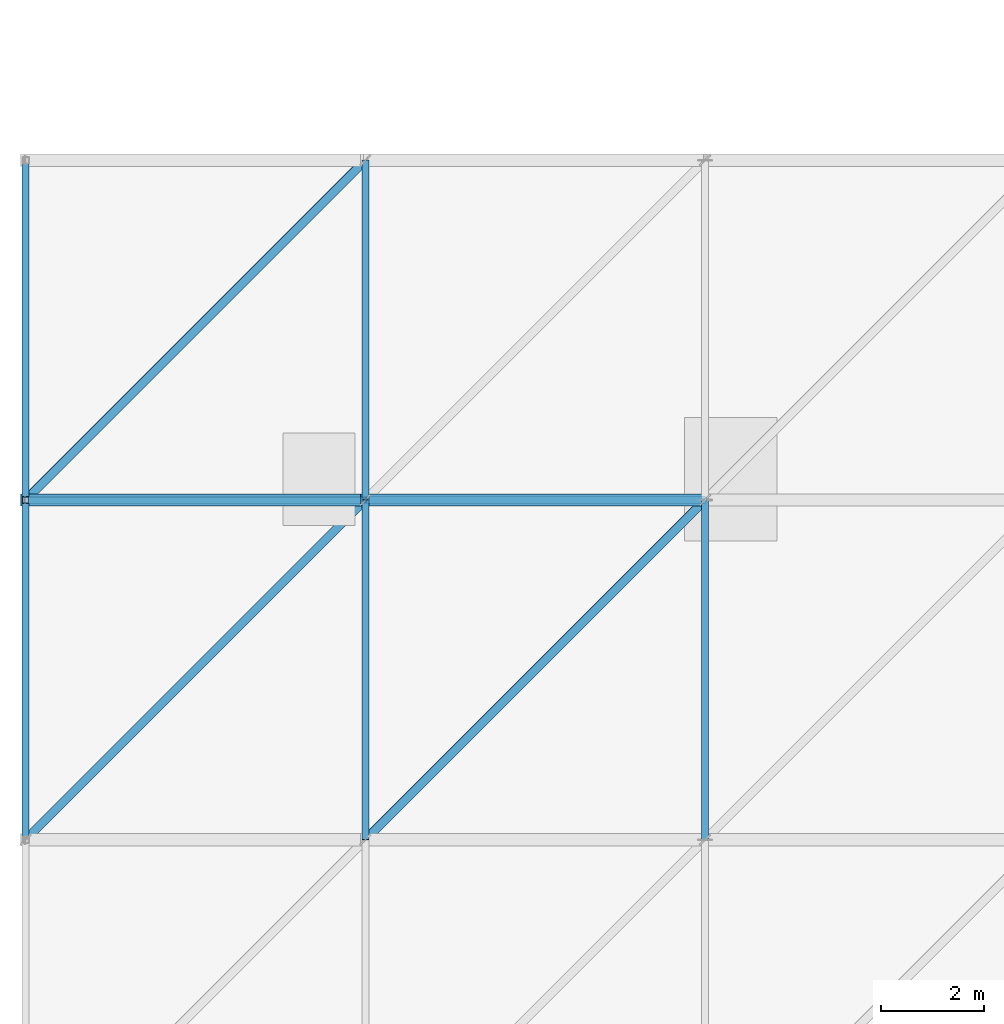
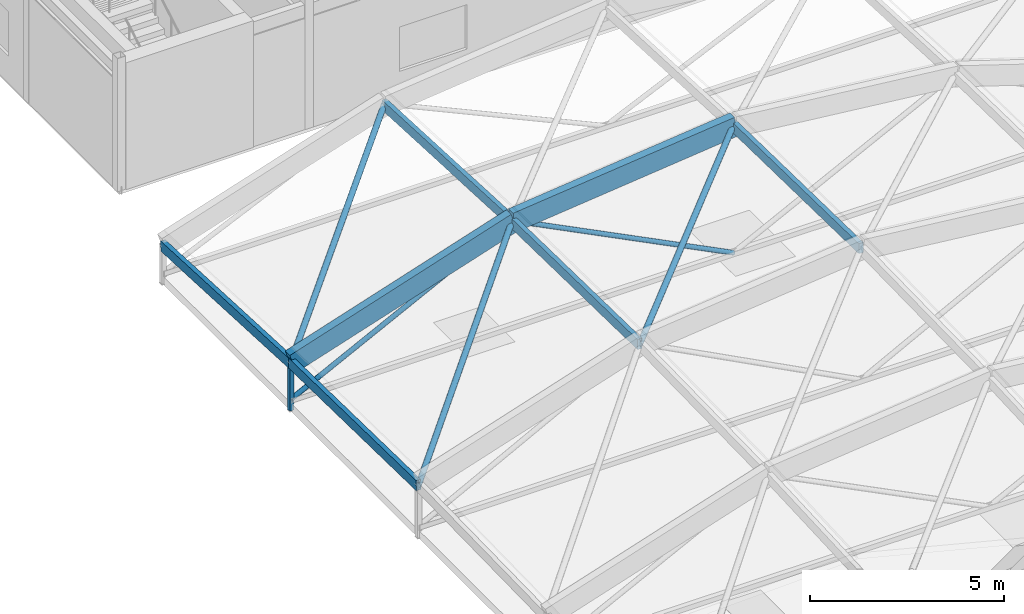
# One storey, part 26 of 157: 13 members.
"""IFC4 building model written with IfcOpenShell, lengths in metres."""

from ifc_helpers import new_model, si_unit, direction, frame, origin, origin_2d, place, context, subcontext, project, spatial, rectangle, hollow_rectangle, hollow_circle, extrude, material, material_profile, profile_set, type_object, element, save


model = new_model("IFC4")

# Units and contexts
model_context = context("Model", 3, precision=1e-05, world=origin(), true_north=direction((0.0, 1.0)))
body_context = subcontext(model_context, "Body", "Model", "MODEL_VIEW")
ifc_project = project(units=[si_unit("LENGTHUNIT", "METRE"), si_unit("AREAUNIT", "SQUARE_METRE"), si_unit("VOLUMEUNIT", "CUBIC_METRE"), si_unit("PLANEANGLEUNIT", "RADIAN"), si_unit("MASSUNIT", "GRAM", prefix="KILO")], contexts=[model_context])

# Site, building, storey
site_placement = place(None, origin())
site = spatial("IfcSite", under=ifc_project, at=site_placement, CompositionType="ELEMENT")
building_placement = place(site_placement, origin())
building = spatial("IfcBuilding", under=site, at=building_placement, Name="Karori Crest Natural Sciences Institute", CompositionType="ELEMENT")
storey_placement = place(building_placement, frame((0.0, 0.0, 13.300048828125)))
storey = spatial("IfcBuildingStorey", under=building, at=storey_placement, Name="L03", CompositionType="ELEMENT", Elevation=13.300048828125)

# Members
ifc_material_1 = material(Name="Hollow structural steel AS/NZS 1163 Grade C350", Category="steel")
ifc_material_profile_1 = material_profile(ifc_material_1, hollow_circle(Radius=0.084228515625, WallThickness=0.007080078125, at=origin_2d()), Name="CHS168.3x7.1")
ifc_profile_set_1 = profile_set([ifc_material_profile_1], Name="Hollow structural steel AS/NZS 1163 Grade C350")
member_type_1 = type_object("IfcMemberType", Name="MT-03", PredefinedType="BRACE", material=ifc_profile_set_1)
member_1_placement = place(storey_placement, frame((0.800048828125, 14.0, 1.419921875), z_axis=(0.691314046893, 0.691339619861, 0.210081933016), x_axis=(-0.707119859409, 0.707093702722, 0.0)))
element("IfcMember", 1, at=member_1_placement, inside=storey, type_object=member_type_1, Name="Diagonal Brace M-0306", PredefinedType="BRACE", context=body_context, shape_type="SweptSolid", body=[
    extrude(hollow_circle(Radius=0.084228515625, WallThickness=0.007080078125, at=origin_2d()), origin(), (0.0, 0.0, 1.0), 9.546875),
])
member_2_placement = place(storey_placement, frame((7.39990234375, 14.0, 3.557373046875), z_axis=(0.705741775976, 0.705741775976, 0.062105485132), x_axis=(-0.707106781187, 0.707106781187, 0.0)))
element("IfcMember", 2, at=member_2_placement, inside=storey, type_object=member_type_1, Name="Diagonal Brace M-0310", PredefinedType="BRACE", context=body_context, shape_type="SweptSolid", body=[
    extrude(hollow_circle(Radius=0.084228515625, WallThickness=0.007080078125, at=origin_2d()), origin(), (0.0, 0.0, 1.0), 9.35205078125),
])
member_3_placement = place(storey_placement, frame((0.800048828125, 20.60009765625, 1.2880859375), z_axis=(0.694044564778, 0.694044564778, 0.191322461315), x_axis=(-0.707106781187, 0.707106781187, 0.0)))
element("IfcMember", 3, at=member_3_placement, inside=storey, type_object=member_type_1, Name="Diagonal Brace M-0326", PredefinedType="BRACE", context=body_context, shape_type="SweptSolid", body=[
    extrude(hollow_circle(Radius=0.084228515625, WallThickness=0.007080078125, at=origin_2d()), origin(), (0.0, 0.0, 1.0), 9.50927734375),
])
ifc_material_2 = material(Name="Glulam GL12", Category="wood")
ifc_material_profile_2 = material_profile(ifc_material_2, rectangle(XDim=0.135009765625, YDim=0.31494140625, at=origin_2d()), Name="GL135x315")
ifc_profile_set_2 = profile_set([ifc_material_profile_2], Name="Glulam GL12")
member_type_2 = type_object("IfcMemberType", Name="MT-12", PredefinedType="PURLIN", material=ifc_profile_set_2)
for number, where, z_axis, x_axis, name in (
    (4, (0.800048828125, 14.0, 1.419921875), (0.0, 0.999800562433, -0.019970862755), (-1.0, 0.0, 0.0), "Member M-0305"),
    (5, (7.39990234375, 14.0, 3.557373046875), (0.0, 0.999800562433, -0.019970862755), (-1.0, 0.0, 0.0), "Member M-0309"),
    (6, (14.0, 14.0, 4.27001953125), (0.0, 0.999800562433, -0.019970862755), (-1.0, 0.0, 0.0), "Member M-0313"),
):
    element("IfcMember", number, at=place(storey_placement, frame(where, z_axis=z_axis, x_axis=x_axis)), inside=storey, type_object=member_type_2, Name=name, PredefinedType="PURLIN", context=body_context, shape_type="SweptSolid", body=[
        extrude(rectangle(XDim=0.135009765625, YDim=0.31494140625, at=origin_2d()), origin(), (0.0, 0.0, 1.0), 6.601318359375),
    ])
for number, where, z_axis, x_axis, name in (
    (7, (0.800048828125, 20.60009765625, 1.2880859375), (0.0, 0.998840383429, -0.048144453801), (-1.0, 0.0, 0.0), "Member M-0325"),
    (8, (7.39990234375, 20.60009765625, 3.425537109375), (0.0, 0.998840383429, -0.048144453801), (-1.0, 0.0, 0.0), "Member M-0329"),
):
    element("IfcMember", number, at=place(storey_placement, frame(where, z_axis=z_axis, x_axis=x_axis)), inside=storey, type_object=member_type_2, Name=name, PredefinedType="PURLIN", context=body_context, shape_type="SweptSolid", body=[
        extrude(rectangle(XDim=0.135009765625, YDim=0.31494140625, at=origin_2d()), origin(), (0.0, 0.0, 1.0), 6.607421875),
    ])
ifc_material_profile_3 = material_profile(ifc_material_2, rectangle(XDim=0.239990234375, YDim=0.6298828125, at=origin_2d()), Name="GL240x630")
ifc_profile_set_3 = profile_set([ifc_material_profile_3], Name="Glulam GL12")
member_type_3 = type_object("IfcMemberType", Name="MT-15", PredefinedType="USERDEFINED", material=ifc_profile_set_3)
member_4_placement = place(storey_placement, frame((0.800048828125, 20.60009765625, 1.30810546875), z_axis=(0.951351409962, 0.0, 0.308107927134), x_axis=(0.0, 1.0, 0.0)))
element("IfcMember", 9, at=member_4_placement, inside=storey, type_object=member_type_3, Name="Member M-0323", ObjectType="ARCH_SEGMENT", PredefinedType="USERDEFINED", context=body_context, shape_type="SweptSolid", body=[
    extrude(rectangle(XDim=0.239990234375, YDim=0.6298828125, at=origin_2d()), origin(), (0.0, 0.0, 1.0), 6.937255859375),
])
member_5_placement = place(storey_placement, frame((7.39990234375, 20.60009765625, 3.445556640625), z_axis=(0.994221165478, 0.0, 0.107351171933), x_axis=(0.0, 1.0, 0.0)))
element("IfcMember", 10, at=member_5_placement, inside=storey, type_object=member_type_3, Name="Member M-0327", ObjectType="ARCH_SEGMENT", PredefinedType="USERDEFINED", context=body_context, shape_type="SweptSolid", body=[
    extrude(rectangle(XDim=0.239990234375, YDim=0.6298828125, at=origin_2d()), origin(), (0.0, 0.0, 1.0), 6.638427734375),
])
ifc_material_profile_4 = material_profile(ifc_material_1, hollow_circle(Radius=0.06982421875, WallThickness=0.00634765625, at=origin_2d()), Name="CHS139.7x6.4")
ifc_profile_set_4 = profile_set([ifc_material_profile_4], Name="Hollow structural steel AS/NZS 1163 Grade C350")
member_type_4 = type_object("IfcMemberType", Name="MT-18-IL", PredefinedType="STRUT", material=ifc_profile_set_4)
member_6_placement = place(storey_placement, frame((0.800048828125, 20.60009765625, 0.119873046875), z_axis=(0.893028778318, 0.0, 0.449999556773), x_axis=(0.0, 1.0, 0.0)))
element("IfcMember", 11, at=member_6_placement, inside=storey, type_object=member_type_4, Name="Member M-0324", PredefinedType="STRUT", context=body_context, shape_type="SweptSolid", body=[
    extrude(hollow_circle(Radius=0.06982421875, WallThickness=0.00634765625, at=origin_2d()), origin(), (0.0, 0.0, 1.0), 7.390380859375),
])
member_7_placement = place(storey_placement, frame((14.0, 20.60009765625, 0.119873046875), z_axis=(-0.893035467548, 0.0, 0.44998628168), x_axis=(0.0, -1.0, 0.0)))
element("IfcMember", 12, at=member_7_placement, inside=storey, type_object=member_type_4, Name="Member M-0328", PredefinedType="STRUT", context=body_context, shape_type="SweptSolid", body=[
    extrude(hollow_circle(Radius=0.06982421875, WallThickness=0.00634765625, at=origin_2d()), origin(), (0.0, 0.0, 1.0), 7.390625),
])
ifc_material_profile_5 = material_profile(ifc_material_1, hollow_rectangle(XDim=0.125, YDim=0.125, WallThickness=0.006103515625, at=origin_2d()), Name="SHS125x125x6")
ifc_profile_set_5 = profile_set([ifc_material_profile_5], Name="Hollow structural steel AS/NZS 1163 Grade C350")
member_type_5 = type_object("IfcMemberType", Name="MT-20", PredefinedType="STRUT", material=ifc_profile_set_5)
member_8_placement = place(storey_placement, frame((0.800048828125, 20.60009765625, -0.199951171875), z_axis=(0.0, 0.0, 1.0), x_axis=(1.0, 0.0, 0.0)))
element("IfcMember", 13, at=member_8_placement, inside=storey, type_object=member_type_5, Name="Member M-0320", PredefinedType="STRUT", context=body_context, shape_type="SweptSolid", body=[
    extrude(hollow_rectangle(XDim=0.125, YDim=0.125, WallThickness=0.006103515625, at=origin_2d()), origin(), (0.0, 0.0, 1.0), 1.508056640625),
])

save(model, "model.ifc")
